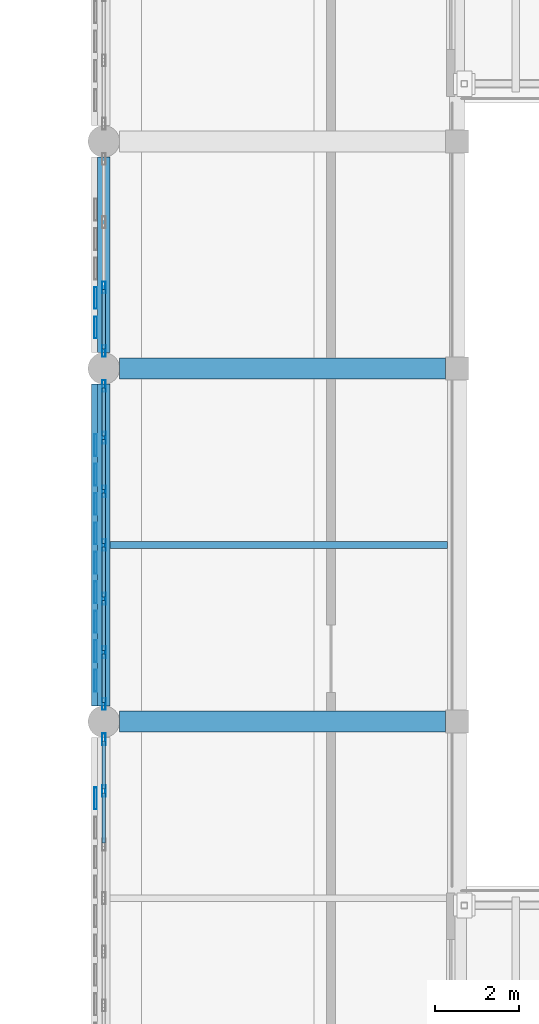
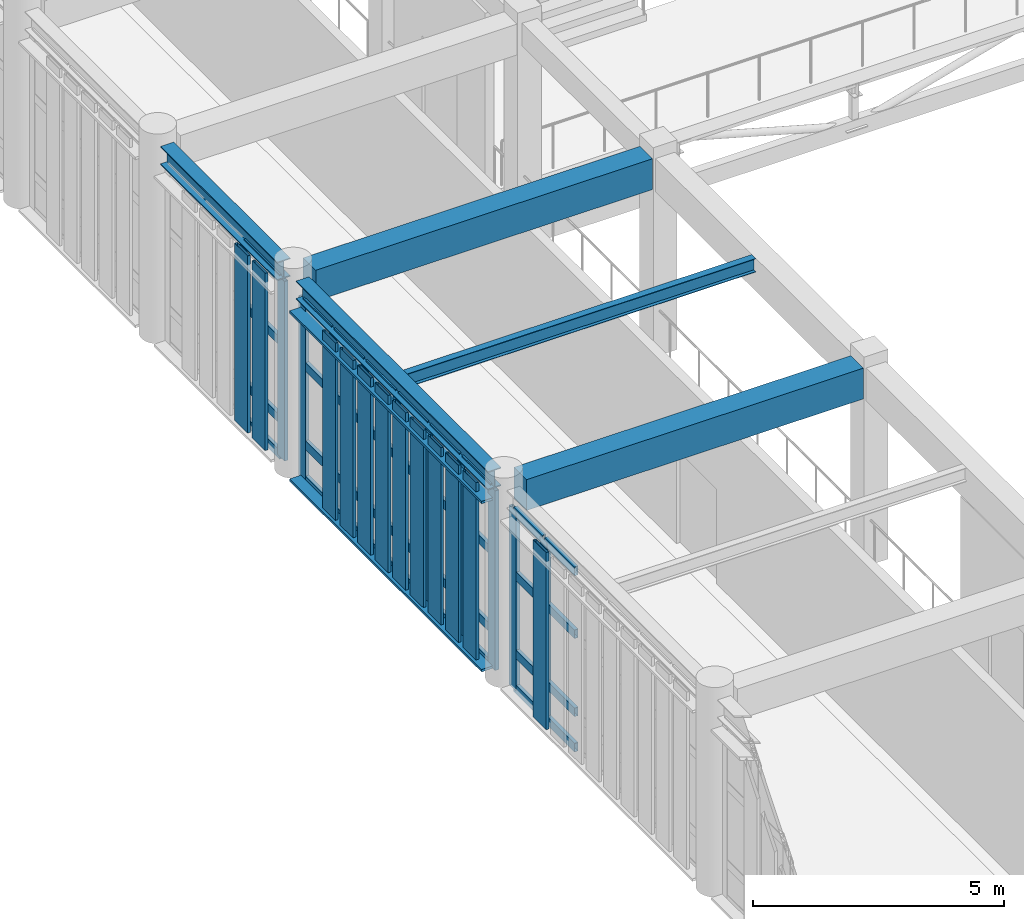
# One storey, part 30 of 106: 61 members, 5 beams, 3 elements without a shape of their own.
"""IFC4 building model written with IfcOpenShell, lengths in metres."""

from ifc_helpers import new_model, si_unit, direction, frame, origin, origin_2d, place, context, subcontext, project, spatial, rectangle, hollow_rectangle, i_section, extrude, material, layer, layer_set, material_profile, profile_set, type_object, element, aggregate, save


model = new_model("IFC4")

# Units and contexts
model_context = context("Model", 3, precision=1e-05, world=origin(), true_north=direction((0.0, 1.0)))
body_context = subcontext(model_context, "Body", "Model", "MODEL_VIEW")
ifc_project = project(units=[si_unit("LENGTHUNIT", "METRE"), si_unit("AREAUNIT", "SQUARE_METRE"), si_unit("VOLUMEUNIT", "CUBIC_METRE"), si_unit("PLANEANGLEUNIT", "RADIAN"), si_unit("MASSUNIT", "GRAM", prefix="KILO")], contexts=[model_context])

# Site, building, storey
site_placement = place(None, origin())
site = spatial("IfcSite", under=ifc_project, at=site_placement, CompositionType="ELEMENT")
building_placement = place(site_placement, origin())
building = spatial("IfcBuilding", under=site, at=building_placement, Name="Krzemoval Escarpment Law Courts", CompositionType="ELEMENT")
storey_placement = place(building_placement, frame((0.0, 0.0, 5.10009765625)))
storey = spatial("IfcBuildingStorey", under=building, at=storey_placement, Name="L01", CompositionType="ELEMENT", Elevation=5.10009765625)

# Beams
ifc_material_1 = material(Name="Concrete C40/50", Category="concrete")
ifc_material_profile_1 = material_profile(ifc_material_1, rectangle(XDim=0.5, YDim=0.75, at=origin_2d()), Name="RCB 500x750")
ifc_profile_set_1 = profile_set([ifc_material_profile_1], Name="Concrete C40/50")
beam_type_1 = type_object("IfcBeamType", Name="BM-RC-500x750", PredefinedType="BEAM", material=ifc_profile_set_1)
for number, where, z_axis, x_axis, name in (
    (1, (8.77490234375, 66.0, 4.44482421875), (1.0, 0.0, 0.0), (0.0, 1.0, 0.0), "Beam FG-L01-1263"),
    (2, (8.77490234375, 74.39990234375, 4.44482421875), (1.0, 0.0, 0.0), (0.0, 1.0, 0.0), "Beam FG-L01-1271"),
):
    element("IfcBeam", number, at=place(storey_placement, frame(where, z_axis=z_axis, x_axis=x_axis)), inside=storey, type_object=beam_type_1, Name=name, PredefinedType="BEAM", context=body_context, shape_type="SweptSolid", body=[
        extrude(rectangle(XDim=0.5, YDim=0.75, at=origin_2d()), origin(), (0.0, 0.0, 1.0), 7.75),
    ])

# Curtain wall, members
ifc_material_2 = material(Name="Aluminium 6063-T6", Category="aluminium")
ifc_layer = layer(ifc_material_2, 0.280029296875)
ifc_layer_set = layer_set([ifc_layer], Name="Aluminium 6063-T6")
curtain_wall_type = type_object("IfcCurtainWallType", Name="CW-HALL-5100", PredefinedType="USERDEFINED", material=ifc_layer_set)
curtain_wall_1_placement = place(storey_placement, origin())
curtain_wall_1 = element("IfcCurtainWall", 3, at=curtain_wall_1_placement, inside=storey, type_object=curtain_wall_type, Name="Unitised Curtain Wall FCW-L01-025", ObjectType="UNITISED_CURTAIN_WALL", PredefinedType="USERDEFINED")
ifc_material_3 = material(Name="Aluminium 6063-T6", Category="aluminium")
ifc_material_profile_2 = material_profile(ifc_material_3, hollow_rectangle(XDim=0.0849609375, YDim=0.280029296875, WallThickness=0.005615234375, at=origin_2d()), Name="ALU M85x280")
ifc_profile_set_2 = profile_set([ifc_material_profile_2], Name="Aluminium 6063-T6")
member_type_1 = type_object("IfcMemberType", Name="CWM-85x280", PredefinedType="MULLION", material=ifc_profile_set_2)
member_1_placement = place(storey_placement, frame((8.39990234375, 64.35009765625, 0.0), z_axis=(0.0, 0.0, 1.0), x_axis=(-1.0, 0.0, 0.0)))
member_1 = element("IfcMember", 4, at=member_1_placement, type_object=member_type_1, Name="FCW-L01-025 mullion 6", PredefinedType="MULLION", context=body_context, shape_type="SweptSolid", body=[
    extrude(hollow_rectangle(XDim=0.0849609375, YDim=0.280029296875, WallThickness=0.005615234375, at=origin_2d()), origin(), (0.0, 0.0, 1.0), 4.369873046875),
])
member_2_placement = place(storey_placement, frame((8.39990234375, 65.58251953125, 0.0), z_axis=(0.0, 0.0, 1.0), x_axis=(-1.0, 0.0, 0.0)))
member_2 = element("IfcMember", 5, at=member_2_placement, type_object=member_type_1, Name="FCW-L01-025 mullion 7", PredefinedType="MULLION", context=body_context, shape_type="SweptSolid", body=[
    extrude(hollow_rectangle(XDim=0.0849609375, YDim=0.280029296875, WallThickness=0.005615234375, at=origin_2d()), origin(), (0.0, 0.0, 1.0), 4.369873046875),
])

curtain_wall_2_placement = place(storey_placement, origin())
curtain_wall_2 = element("IfcCurtainWall", 6, at=curtain_wall_2_placement, inside=storey, type_object=curtain_wall_type, Name="Unitised Curtain Wall FCW-L01-026", ObjectType="UNITISED_CURTAIN_WALL", PredefinedType="USERDEFINED")
member_3_placement = place(storey_placement, frame((8.39990234375, 66.41748046875, 0.0), z_axis=(0.0, 0.0, 1.0), x_axis=(-1.0, 0.0, 0.0)))
member_3 = element("IfcMember", 7, at=member_3_placement, type_object=member_type_1, Name="FCW-L01-026 mullion 1", PredefinedType="MULLION", context=body_context, shape_type="SweptSolid", body=[
    extrude(hollow_rectangle(XDim=0.0849609375, YDim=0.280029296875, WallThickness=0.005615234375, at=origin_2d()), origin(), (0.0, 0.0, 1.0), 4.369873046875),
])
member_4_placement = place(storey_placement, frame((8.39990234375, 67.64990234375, 0.0), z_axis=(0.0, 0.0, 1.0), x_axis=(-1.0, 0.0, 0.0)))
member_4 = element("IfcMember", 8, at=member_4_placement, type_object=member_type_1, Name="FCW-L01-026 mullion 2", PredefinedType="MULLION", context=body_context, shape_type="SweptSolid", body=[
    extrude(hollow_rectangle(XDim=0.0849609375, YDim=0.280029296875, WallThickness=0.005615234375, at=origin_2d()), origin(), (0.0, 0.0, 1.0), 4.369873046875),
])
member_5_placement = place(storey_placement, frame((8.39990234375, 68.925048828125, 0.0), z_axis=(0.0, 0.0, 1.0), x_axis=(-1.0, 0.0, 0.0)))
member_5 = element("IfcMember", 9, at=member_5_placement, type_object=member_type_1, Name="FCW-L01-026 mullion 3", PredefinedType="MULLION", context=body_context, shape_type="SweptSolid", body=[
    extrude(hollow_rectangle(XDim=0.0849609375, YDim=0.280029296875, WallThickness=0.005615234375, at=origin_2d()), origin(), (0.0, 0.0, 1.0), 4.369873046875),
])
member_6_placement = place(storey_placement, frame((8.39990234375, 70.199951171875, 0.0), z_axis=(0.0, 0.0, 1.0), x_axis=(-1.0, 0.0, 0.0)))
member_6 = element("IfcMember", 10, at=member_6_placement, type_object=member_type_1, Name="FCW-L01-026 mullion 4", PredefinedType="MULLION", context=body_context, shape_type="SweptSolid", body=[
    extrude(hollow_rectangle(XDim=0.0849609375, YDim=0.280029296875, WallThickness=0.005615234375, at=origin_2d()), origin(), (0.0, 0.0, 1.0), 4.369873046875),
])
member_7_placement = place(storey_placement, frame((8.39990234375, 71.47509765625, 0.0), z_axis=(0.0, 0.0, 1.0), x_axis=(-1.0, 0.0, 0.0)))
member_7 = element("IfcMember", 11, at=member_7_placement, type_object=member_type_1, Name="FCW-L01-026 mullion 5", PredefinedType="MULLION", context=body_context, shape_type="SweptSolid", body=[
    extrude(hollow_rectangle(XDim=0.0849609375, YDim=0.280029296875, WallThickness=0.005615234375, at=origin_2d()), origin(), (0.0, 0.0, 1.0), 4.369873046875),
])
member_8_placement = place(storey_placement, frame((8.39990234375, 72.75, 0.0), z_axis=(0.0, 0.0, 1.0), x_axis=(-1.0, 0.0, 0.0)))
member_8 = element("IfcMember", 12, at=member_8_placement, type_object=member_type_1, Name="FCW-L01-026 mullion 6", PredefinedType="MULLION", context=body_context, shape_type="SweptSolid", body=[
    extrude(hollow_rectangle(XDim=0.0849609375, YDim=0.280029296875, WallThickness=0.005615234375, at=origin_2d()), origin(), (0.0, 0.0, 1.0), 4.369873046875),
])
member_9_placement = place(storey_placement, frame((8.39990234375, 73.982421875, 0.0), z_axis=(0.0, 0.0, 1.0), x_axis=(-1.0, 0.0, 0.0)))
member_9 = element("IfcMember", 13, at=member_9_placement, type_object=member_type_1, Name="FCW-L01-026 mullion 7", PredefinedType="MULLION", context=body_context, shape_type="SweptSolid", body=[
    extrude(hollow_rectangle(XDim=0.0849609375, YDim=0.280029296875, WallThickness=0.005615234375, at=origin_2d()), origin(), (0.0, 0.0, 1.0), 4.369873046875),
])

curtain_wall_3_placement = place(storey_placement, origin())
curtain_wall_3 = element("IfcCurtainWall", 14, at=curtain_wall_3_placement, inside=storey, type_object=curtain_wall_type, Name="Unitised Curtain Wall FCW-L01-027", ObjectType="UNITISED_CURTAIN_WALL", PredefinedType="USERDEFINED")
member_10_placement = place(storey_placement, frame((8.39990234375, 74.8173828125, 0.0), z_axis=(0.0, 0.0, 1.0), x_axis=(-1.0, 0.0, 0.0)))
member_10 = element("IfcMember", 15, at=member_10_placement, type_object=member_type_1, Name="FCW-L01-027 mullion 1", PredefinedType="MULLION", context=body_context, shape_type="SweptSolid", body=[
    extrude(hollow_rectangle(XDim=0.0849609375, YDim=0.280029296875, WallThickness=0.005615234375, at=origin_2d()), origin(), (0.0, 0.0, 1.0), 4.369873046875),
])
member_11_placement = place(storey_placement, frame((8.39990234375, 76.324951171875, 0.0), z_axis=(0.0, 0.0, 1.0), x_axis=(-1.0, 0.0, 0.0)))
member_11 = element("IfcMember", 16, at=member_11_placement, type_object=member_type_1, Name="FCW-L01-027 mullion 2", PredefinedType="MULLION", context=body_context, shape_type="SweptSolid", body=[
    extrude(hollow_rectangle(XDim=0.0849609375, YDim=0.280029296875, WallThickness=0.005615234375, at=origin_2d()), origin(), (0.0, 0.0, 1.0), 4.369873046875),
])

# Member
ifc_material_4 = material(Name="Aluminium 6063-T6", Category="aluminium")
ifc_material_profile_3 = material_profile(ifc_material_4, hollow_rectangle(XDim=0.0849609375, YDim=0.2099609375, WallThickness=0.005615234375, at=origin_2d()), Name="ALU T85x210")
ifc_profile_set_3 = profile_set([ifc_material_profile_3], Name="Aluminium 6063-T6")
member_type_2 = type_object("IfcMemberType", Name="CWT-85x210", PredefinedType="USERDEFINED", material=ifc_profile_set_3)
member_12_placement = place(storey_placement, frame((8.39990234375, 63.117431640625, 0.04248046875), z_axis=(0.0, 1.0, 0.0), x_axis=(-1.0, 0.0, 0.0)))
member_12 = element("IfcMember", 17, at=member_12_placement, type_object=member_type_2, Name="FCW-L01-025 transom 5.1", ObjectType="TRANSOM", PredefinedType="USERDEFINED", context=body_context, shape_type="SweptSolid", body=[
    extrude(hollow_rectangle(XDim=0.0849609375, YDim=0.2099609375, WallThickness=0.005615234375, at=origin_2d()), origin(), (0.0, 0.0, 1.0), 1.190185546875),
])

member_13_placement = place(storey_placement, frame((8.39990234375, 63.117431640625, 0.89990234375), z_axis=(0.0, 1.0, 0.0), x_axis=(-1.0, 0.0, 0.0)))
member_13 = element("IfcMember", 18, at=member_13_placement, type_object=member_type_2, Name="FCW-L01-025 transom 5.2", ObjectType="TRANSOM", PredefinedType="USERDEFINED", context=body_context, shape_type="SweptSolid", body=[
    extrude(hollow_rectangle(XDim=0.0849609375, YDim=0.2099609375, WallThickness=0.005615234375, at=origin_2d()), origin(), (0.0, 0.0, 1.0), 1.190185546875),
])

member_14_placement = place(storey_placement, frame((8.39990234375, 63.117431640625, 2.7998046875), z_axis=(0.0, 1.0, 0.0), x_axis=(-1.0, 0.0, 0.0)))
member_14 = element("IfcMember", 19, at=member_14_placement, type_object=member_type_2, Name="FCW-L01-025 transom 5.3", ObjectType="TRANSOM", PredefinedType="USERDEFINED", context=body_context, shape_type="SweptSolid", body=[
    extrude(hollow_rectangle(XDim=0.0849609375, YDim=0.2099609375, WallThickness=0.005615234375, at=origin_2d()), origin(), (0.0, 0.0, 1.0), 1.190185546875),
])

member_15_placement = place(storey_placement, frame((8.39990234375, 63.117431640625, 4.327392578125), z_axis=(0.0, 1.0, 0.0), x_axis=(-1.0, 0.0, 0.0)))
member_15 = element("IfcMember", 20, at=member_15_placement, type_object=member_type_2, Name="FCW-L01-025 transom 5.4", ObjectType="TRANSOM", PredefinedType="USERDEFINED", context=body_context, shape_type="SweptSolid", body=[
    extrude(hollow_rectangle(XDim=0.0849609375, YDim=0.2099609375, WallThickness=0.005615234375, at=origin_2d()), origin(), (0.0, 0.0, 1.0), 1.190185546875),
])

member_16_placement = place(storey_placement, frame((8.39990234375, 64.392578125, 0.04248046875), z_axis=(0.0, 1.0, 0.0), x_axis=(-1.0, 0.0, 0.0)))
member_16 = element("IfcMember", 21, at=member_16_placement, type_object=member_type_2, Name="FCW-L01-025 transom 6.1", ObjectType="TRANSOM", PredefinedType="USERDEFINED", context=body_context, shape_type="SweptSolid", body=[
    extrude(hollow_rectangle(XDim=0.0849609375, YDim=0.2099609375, WallThickness=0.005615234375, at=origin_2d()), origin(), (0.0, 0.0, 1.0), 1.1474609375),
])

member_17_placement = place(storey_placement, frame((8.39990234375, 64.392578125, 0.89990234375), z_axis=(0.0, 1.0, 0.0), x_axis=(-1.0, 0.0, 0.0)))
member_17 = element("IfcMember", 22, at=member_17_placement, type_object=member_type_2, Name="FCW-L01-025 transom 6.2", ObjectType="TRANSOM", PredefinedType="USERDEFINED", context=body_context, shape_type="SweptSolid", body=[
    extrude(hollow_rectangle(XDim=0.0849609375, YDim=0.2099609375, WallThickness=0.005615234375, at=origin_2d()), origin(), (0.0, 0.0, 1.0), 1.1474609375),
])

member_18_placement = place(storey_placement, frame((8.39990234375, 64.392578125, 2.7998046875), z_axis=(0.0, 1.0, 0.0), x_axis=(-1.0, 0.0, 0.0)))
member_18 = element("IfcMember", 23, at=member_18_placement, type_object=member_type_2, Name="FCW-L01-025 transom 6.3", ObjectType="TRANSOM", PredefinedType="USERDEFINED", context=body_context, shape_type="SweptSolid", body=[
    extrude(hollow_rectangle(XDim=0.0849609375, YDim=0.2099609375, WallThickness=0.005615234375, at=origin_2d()), origin(), (0.0, 0.0, 1.0), 1.1474609375),
])

member_19_placement = place(storey_placement, frame((8.39990234375, 64.392578125, 4.327392578125), z_axis=(0.0, 1.0, 0.0), x_axis=(-1.0, 0.0, 0.0)))
member_19 = element("IfcMember", 24, at=member_19_placement, type_object=member_type_2, Name="FCW-L01-025 transom 6.4", ObjectType="TRANSOM", PredefinedType="USERDEFINED", context=body_context, shape_type="SweptSolid", body=[
    extrude(hollow_rectangle(XDim=0.0849609375, YDim=0.2099609375, WallThickness=0.005615234375, at=origin_2d()), origin(), (0.0, 0.0, 1.0), 1.1474609375),
])

aggregate(curtain_wall_1, [member_1, member_2, member_12, member_13, member_14, member_15, member_16, member_17, member_18, member_19])

member_20_placement = place(storey_placement, frame((8.39990234375, 66.4599609375, 0.04248046875), z_axis=(0.0, 1.0, 0.0), x_axis=(-1.0, 0.0, 0.0)))
member_20 = element("IfcMember", 25, at=member_20_placement, type_object=member_type_2, Name="FCW-L01-026 transom 1.1", ObjectType="TRANSOM", PredefinedType="USERDEFINED", context=body_context, shape_type="SweptSolid", body=[
    extrude(hollow_rectangle(XDim=0.0849609375, YDim=0.2099609375, WallThickness=0.005615234375, at=origin_2d()), origin(), (0.0, 0.0, 1.0), 1.1474609375),
])

member_21_placement = place(storey_placement, frame((8.39990234375, 66.4599609375, 0.89990234375), z_axis=(0.0, 1.0, 0.0), x_axis=(-1.0, 0.0, 0.0)))
member_21 = element("IfcMember", 26, at=member_21_placement, type_object=member_type_2, Name="FCW-L01-026 transom 1.2", ObjectType="TRANSOM", PredefinedType="USERDEFINED", context=body_context, shape_type="SweptSolid", body=[
    extrude(hollow_rectangle(XDim=0.0849609375, YDim=0.2099609375, WallThickness=0.005615234375, at=origin_2d()), origin(), (0.0, 0.0, 1.0), 1.1474609375),
])

member_22_placement = place(storey_placement, frame((8.39990234375, 66.4599609375, 2.7998046875), z_axis=(0.0, 1.0, 0.0), x_axis=(-1.0, 0.0, 0.0)))
member_22 = element("IfcMember", 27, at=member_22_placement, type_object=member_type_2, Name="FCW-L01-026 transom 1.3", ObjectType="TRANSOM", PredefinedType="USERDEFINED", context=body_context, shape_type="SweptSolid", body=[
    extrude(hollow_rectangle(XDim=0.0849609375, YDim=0.2099609375, WallThickness=0.005615234375, at=origin_2d()), origin(), (0.0, 0.0, 1.0), 1.1474609375),
])

member_23_placement = place(storey_placement, frame((8.39990234375, 66.4599609375, 4.327392578125), z_axis=(0.0, 1.0, 0.0), x_axis=(-1.0, 0.0, 0.0)))
member_23 = element("IfcMember", 28, at=member_23_placement, type_object=member_type_2, Name="FCW-L01-026 transom 1.4", ObjectType="TRANSOM", PredefinedType="USERDEFINED", context=body_context, shape_type="SweptSolid", body=[
    extrude(hollow_rectangle(XDim=0.0849609375, YDim=0.2099609375, WallThickness=0.005615234375, at=origin_2d()), origin(), (0.0, 0.0, 1.0), 1.1474609375),
])

member_24_placement = place(storey_placement, frame((8.39990234375, 67.6923828125, 0.04248046875), z_axis=(0.0, 1.0, 0.0), x_axis=(-1.0, 0.0, 0.0)))
member_24 = element("IfcMember", 29, at=member_24_placement, type_object=member_type_2, Name="FCW-L01-026 transom 2.1", ObjectType="TRANSOM", PredefinedType="USERDEFINED", context=body_context, shape_type="SweptSolid", body=[
    extrude(hollow_rectangle(XDim=0.0849609375, YDim=0.2099609375, WallThickness=0.005615234375, at=origin_2d()), origin(), (0.0, 0.0, 1.0), 1.190185546875),
])

member_25_placement = place(storey_placement, frame((8.39990234375, 67.6923828125, 0.89990234375), z_axis=(0.0, 1.0, 0.0), x_axis=(-1.0, 0.0, 0.0)))
member_25 = element("IfcMember", 30, at=member_25_placement, type_object=member_type_2, Name="FCW-L01-026 transom 2.2", ObjectType="TRANSOM", PredefinedType="USERDEFINED", context=body_context, shape_type="SweptSolid", body=[
    extrude(hollow_rectangle(XDim=0.0849609375, YDim=0.2099609375, WallThickness=0.005615234375, at=origin_2d()), origin(), (0.0, 0.0, 1.0), 1.190185546875),
])

member_26_placement = place(storey_placement, frame((8.39990234375, 67.6923828125, 2.7998046875), z_axis=(0.0, 1.0, 0.0), x_axis=(-1.0, 0.0, 0.0)))
member_26 = element("IfcMember", 31, at=member_26_placement, type_object=member_type_2, Name="FCW-L01-026 transom 2.3", ObjectType="TRANSOM", PredefinedType="USERDEFINED", context=body_context, shape_type="SweptSolid", body=[
    extrude(hollow_rectangle(XDim=0.0849609375, YDim=0.2099609375, WallThickness=0.005615234375, at=origin_2d()), origin(), (0.0, 0.0, 1.0), 1.190185546875),
])

member_27_placement = place(storey_placement, frame((8.39990234375, 67.6923828125, 4.327392578125), z_axis=(0.0, 1.0, 0.0), x_axis=(-1.0, 0.0, 0.0)))
member_27 = element("IfcMember", 32, at=member_27_placement, type_object=member_type_2, Name="FCW-L01-026 transom 2.4", ObjectType="TRANSOM", PredefinedType="USERDEFINED", context=body_context, shape_type="SweptSolid", body=[
    extrude(hollow_rectangle(XDim=0.0849609375, YDim=0.2099609375, WallThickness=0.005615234375, at=origin_2d()), origin(), (0.0, 0.0, 1.0), 1.190185546875),
])

member_28_placement = place(storey_placement, frame((8.39990234375, 68.967529296875, 0.04248046875), z_axis=(0.0, 1.0, 0.0), x_axis=(-1.0, 0.0, 0.0)))
member_28 = element("IfcMember", 33, at=member_28_placement, type_object=member_type_2, Name="FCW-L01-026 transom 3.1", ObjectType="TRANSOM", PredefinedType="USERDEFINED", context=body_context, shape_type="SweptSolid", body=[
    extrude(hollow_rectangle(XDim=0.0849609375, YDim=0.2099609375, WallThickness=0.005615234375, at=origin_2d()), origin(), (0.0, 0.0, 1.0), 1.18994140625),
])

member_29_placement = place(storey_placement, frame((8.39990234375, 68.967529296875, 0.89990234375), z_axis=(0.0, 1.0, 0.0), x_axis=(-1.0, 0.0, 0.0)))
member_29 = element("IfcMember", 34, at=member_29_placement, type_object=member_type_2, Name="FCW-L01-026 transom 3.2", ObjectType="TRANSOM", PredefinedType="USERDEFINED", context=body_context, shape_type="SweptSolid", body=[
    extrude(hollow_rectangle(XDim=0.0849609375, YDim=0.2099609375, WallThickness=0.005615234375, at=origin_2d()), origin(), (0.0, 0.0, 1.0), 1.18994140625),
])

member_30_placement = place(storey_placement, frame((8.39990234375, 68.967529296875, 2.7998046875), z_axis=(0.0, 1.0, 0.0), x_axis=(-1.0, 0.0, 0.0)))
member_30 = element("IfcMember", 35, at=member_30_placement, type_object=member_type_2, Name="FCW-L01-026 transom 3.3", ObjectType="TRANSOM", PredefinedType="USERDEFINED", context=body_context, shape_type="SweptSolid", body=[
    extrude(hollow_rectangle(XDim=0.0849609375, YDim=0.2099609375, WallThickness=0.005615234375, at=origin_2d()), origin(), (0.0, 0.0, 1.0), 1.18994140625),
])

member_31_placement = place(storey_placement, frame((8.39990234375, 68.967529296875, 4.327392578125), z_axis=(0.0, 1.0, 0.0), x_axis=(-1.0, 0.0, 0.0)))
member_31 = element("IfcMember", 36, at=member_31_placement, type_object=member_type_2, Name="FCW-L01-026 transom 3.4", ObjectType="TRANSOM", PredefinedType="USERDEFINED", context=body_context, shape_type="SweptSolid", body=[
    extrude(hollow_rectangle(XDim=0.0849609375, YDim=0.2099609375, WallThickness=0.005615234375, at=origin_2d()), origin(), (0.0, 0.0, 1.0), 1.18994140625),
])

member_32_placement = place(storey_placement, frame((8.39990234375, 70.242431640625, 0.04248046875), z_axis=(0.0, 1.0, 0.0), x_axis=(-1.0, 0.0, 0.0)))
member_32 = element("IfcMember", 37, at=member_32_placement, type_object=member_type_2, Name="FCW-L01-026 transom 4.1", ObjectType="TRANSOM", PredefinedType="USERDEFINED", context=body_context, shape_type="SweptSolid", body=[
    extrude(hollow_rectangle(XDim=0.0849609375, YDim=0.2099609375, WallThickness=0.005615234375, at=origin_2d()), origin(), (0.0, 0.0, 1.0), 1.190185546875),
])

member_33_placement = place(storey_placement, frame((8.39990234375, 70.242431640625, 0.89990234375), z_axis=(0.0, 1.0, 0.0), x_axis=(-1.0, 0.0, 0.0)))
member_33 = element("IfcMember", 38, at=member_33_placement, type_object=member_type_2, Name="FCW-L01-026 transom 4.2", ObjectType="TRANSOM", PredefinedType="USERDEFINED", context=body_context, shape_type="SweptSolid", body=[
    extrude(hollow_rectangle(XDim=0.0849609375, YDim=0.2099609375, WallThickness=0.005615234375, at=origin_2d()), origin(), (0.0, 0.0, 1.0), 1.190185546875),
])

member_34_placement = place(storey_placement, frame((8.39990234375, 70.242431640625, 2.7998046875), z_axis=(0.0, 1.0, 0.0), x_axis=(-1.0, 0.0, 0.0)))
member_34 = element("IfcMember", 39, at=member_34_placement, type_object=member_type_2, Name="FCW-L01-026 transom 4.3", ObjectType="TRANSOM", PredefinedType="USERDEFINED", context=body_context, shape_type="SweptSolid", body=[
    extrude(hollow_rectangle(XDim=0.0849609375, YDim=0.2099609375, WallThickness=0.005615234375, at=origin_2d()), origin(), (0.0, 0.0, 1.0), 1.190185546875),
])

member_35_placement = place(storey_placement, frame((8.39990234375, 70.242431640625, 4.327392578125), z_axis=(0.0, 1.0, 0.0), x_axis=(-1.0, 0.0, 0.0)))
member_35 = element("IfcMember", 40, at=member_35_placement, type_object=member_type_2, Name="FCW-L01-026 transom 4.4", ObjectType="TRANSOM", PredefinedType="USERDEFINED", context=body_context, shape_type="SweptSolid", body=[
    extrude(hollow_rectangle(XDim=0.0849609375, YDim=0.2099609375, WallThickness=0.005615234375, at=origin_2d()), origin(), (0.0, 0.0, 1.0), 1.190185546875),
])

member_36_placement = place(storey_placement, frame((8.39990234375, 71.517578125, 0.04248046875), z_axis=(0.0, 1.0, 0.0), x_axis=(-1.0, 0.0, 0.0)))
member_36 = element("IfcMember", 41, at=member_36_placement, type_object=member_type_2, Name="FCW-L01-026 transom 5.1", ObjectType="TRANSOM", PredefinedType="USERDEFINED", context=body_context, shape_type="SweptSolid", body=[
    extrude(hollow_rectangle(XDim=0.0849609375, YDim=0.2099609375, WallThickness=0.005615234375, at=origin_2d()), origin(), (0.0, 0.0, 1.0), 1.18994140625),
])

member_37_placement = place(storey_placement, frame((8.39990234375, 71.517578125, 0.89990234375), z_axis=(0.0, 1.0, 0.0), x_axis=(-1.0, 0.0, 0.0)))
member_37 = element("IfcMember", 42, at=member_37_placement, type_object=member_type_2, Name="FCW-L01-026 transom 5.2", ObjectType="TRANSOM", PredefinedType="USERDEFINED", context=body_context, shape_type="SweptSolid", body=[
    extrude(hollow_rectangle(XDim=0.0849609375, YDim=0.2099609375, WallThickness=0.005615234375, at=origin_2d()), origin(), (0.0, 0.0, 1.0), 1.18994140625),
])

member_38_placement = place(storey_placement, frame((8.39990234375, 71.517578125, 2.7998046875), z_axis=(0.0, 1.0, 0.0), x_axis=(-1.0, 0.0, 0.0)))
member_38 = element("IfcMember", 43, at=member_38_placement, type_object=member_type_2, Name="FCW-L01-026 transom 5.3", ObjectType="TRANSOM", PredefinedType="USERDEFINED", context=body_context, shape_type="SweptSolid", body=[
    extrude(hollow_rectangle(XDim=0.0849609375, YDim=0.2099609375, WallThickness=0.005615234375, at=origin_2d()), origin(), (0.0, 0.0, 1.0), 1.18994140625),
])

member_39_placement = place(storey_placement, frame((8.39990234375, 71.517578125, 4.327392578125), z_axis=(0.0, 1.0, 0.0), x_axis=(-1.0, 0.0, 0.0)))
member_39 = element("IfcMember", 44, at=member_39_placement, type_object=member_type_2, Name="FCW-L01-026 transom 5.4", ObjectType="TRANSOM", PredefinedType="USERDEFINED", context=body_context, shape_type="SweptSolid", body=[
    extrude(hollow_rectangle(XDim=0.0849609375, YDim=0.2099609375, WallThickness=0.005615234375, at=origin_2d()), origin(), (0.0, 0.0, 1.0), 1.18994140625),
])

member_40_placement = place(storey_placement, frame((8.39990234375, 72.79248046875, 0.04248046875), z_axis=(0.0, 1.0, 0.0), x_axis=(-1.0, 0.0, 0.0)))
member_40 = element("IfcMember", 45, at=member_40_placement, type_object=member_type_2, Name="FCW-L01-026 transom 6.1", ObjectType="TRANSOM", PredefinedType="USERDEFINED", context=body_context, shape_type="SweptSolid", body=[
    extrude(hollow_rectangle(XDim=0.0849609375, YDim=0.2099609375, WallThickness=0.005615234375, at=origin_2d()), origin(), (0.0, 0.0, 1.0), 1.1474609375),
])

member_41_placement = place(storey_placement, frame((8.39990234375, 72.79248046875, 0.89990234375), z_axis=(0.0, 1.0, 0.0), x_axis=(-1.0, 0.0, 0.0)))
member_41 = element("IfcMember", 46, at=member_41_placement, type_object=member_type_2, Name="FCW-L01-026 transom 6.2", ObjectType="TRANSOM", PredefinedType="USERDEFINED", context=body_context, shape_type="SweptSolid", body=[
    extrude(hollow_rectangle(XDim=0.0849609375, YDim=0.2099609375, WallThickness=0.005615234375, at=origin_2d()), origin(), (0.0, 0.0, 1.0), 1.1474609375),
])

member_42_placement = place(storey_placement, frame((8.39990234375, 72.79248046875, 2.7998046875), z_axis=(0.0, 1.0, 0.0), x_axis=(-1.0, 0.0, 0.0)))
member_42 = element("IfcMember", 47, at=member_42_placement, type_object=member_type_2, Name="FCW-L01-026 transom 6.3", ObjectType="TRANSOM", PredefinedType="USERDEFINED", context=body_context, shape_type="SweptSolid", body=[
    extrude(hollow_rectangle(XDim=0.0849609375, YDim=0.2099609375, WallThickness=0.005615234375, at=origin_2d()), origin(), (0.0, 0.0, 1.0), 1.1474609375),
])

member_43_placement = place(storey_placement, frame((8.39990234375, 72.79248046875, 4.327392578125), z_axis=(0.0, 1.0, 0.0), x_axis=(-1.0, 0.0, 0.0)))
member_43 = element("IfcMember", 48, at=member_43_placement, type_object=member_type_2, Name="FCW-L01-026 transom 6.4", ObjectType="TRANSOM", PredefinedType="USERDEFINED", context=body_context, shape_type="SweptSolid", body=[
    extrude(hollow_rectangle(XDim=0.0849609375, YDim=0.2099609375, WallThickness=0.005615234375, at=origin_2d()), origin(), (0.0, 0.0, 1.0), 1.1474609375),
])

aggregate(curtain_wall_2, [member_3, member_4, member_5, member_6, member_7, member_8, member_9, member_20, member_21, member_22, member_23, member_24, member_25, member_26, member_27, member_28, member_29, member_30, member_31, member_32, member_33, member_34, member_35, member_36, member_37, member_38, member_39, member_40, member_41, member_42, member_43])

member_44_placement = place(storey_placement, frame((8.39990234375, 74.860107421875, 0.04248046875), z_axis=(0.0, 1.0, 0.0), x_axis=(-1.0, 0.0, 0.0)))
member_44 = element("IfcMember", 49, at=member_44_placement, type_object=member_type_2, Name="FCW-L01-027 transom 1.1", ObjectType="TRANSOM", PredefinedType="USERDEFINED", context=body_context, shape_type="SweptSolid", body=[
    extrude(hollow_rectangle(XDim=0.0849609375, YDim=0.2099609375, WallThickness=0.005615234375, at=origin_2d()), origin(), (0.0, 0.0, 1.0), 1.42236328125),
])

member_45_placement = place(storey_placement, frame((8.39990234375, 74.860107421875, 0.89990234375), z_axis=(0.0, 1.0, 0.0), x_axis=(-1.0, 0.0, 0.0)))
member_45 = element("IfcMember", 50, at=member_45_placement, type_object=member_type_2, Name="FCW-L01-027 transom 1.2", ObjectType="TRANSOM", PredefinedType="USERDEFINED", context=body_context, shape_type="SweptSolid", body=[
    extrude(hollow_rectangle(XDim=0.0849609375, YDim=0.2099609375, WallThickness=0.005615234375, at=origin_2d()), origin(), (0.0, 0.0, 1.0), 1.42236328125),
])

member_46_placement = place(storey_placement, frame((8.39990234375, 74.860107421875, 2.7998046875), z_axis=(0.0, 1.0, 0.0), x_axis=(-1.0, 0.0, 0.0)))
member_46 = element("IfcMember", 51, at=member_46_placement, type_object=member_type_2, Name="FCW-L01-027 transom 1.3", ObjectType="TRANSOM", PredefinedType="USERDEFINED", context=body_context, shape_type="SweptSolid", body=[
    extrude(hollow_rectangle(XDim=0.0849609375, YDim=0.2099609375, WallThickness=0.005615234375, at=origin_2d()), origin(), (0.0, 0.0, 1.0), 1.42236328125),
])

member_47_placement = place(storey_placement, frame((8.39990234375, 74.860107421875, 4.327392578125), z_axis=(0.0, 1.0, 0.0), x_axis=(-1.0, 0.0, 0.0)))
member_47 = element("IfcMember", 52, at=member_47_placement, type_object=member_type_2, Name="FCW-L01-027 transom 1.4", ObjectType="TRANSOM", PredefinedType="USERDEFINED", context=body_context, shape_type="SweptSolid", body=[
    extrude(hollow_rectangle(XDim=0.0849609375, YDim=0.2099609375, WallThickness=0.005615234375, at=origin_2d()), origin(), (0.0, 0.0, 1.0), 1.42236328125),
])

aggregate(curtain_wall_3, [member_10, member_11, member_44, member_45, member_46, member_47])

# Beam
ifc_material_5 = material(Name="Steel S355", Category="steel")
ifc_material_profile_4 = material_profile(ifc_material_5, i_section(OverallWidth=0.159912109375, OverallDepth=0.330078125, WebThickness=0.007568359375, FlangeThickness=0.011474609375, at=origin_2d()), Name="IPE 330")
ifc_profile_set_4 = profile_set([ifc_material_profile_4], Name="Steel S355")
beam_type_2 = type_object("IfcBeamType", Name="JST-S355-IPE330", PredefinedType="JOIST", material=ifc_profile_set_4)
beam_1_placement = place(storey_placement, frame((8.550048828125, 70.199951171875, 4.65478515625), z_axis=(1.0, 0.0, 0.0), x_axis=(0.0, 1.0, 0.0)))
element("IfcBeam", 53, at=beam_1_placement, inside=storey, type_object=beam_type_2, Name="Secondary Joist FJ-L01-1608", PredefinedType="JOIST", context=body_context, shape_type="SweptSolid", body=[
    extrude(i_section(OverallWidth=0.159912109375, OverallDepth=0.330078125, WebThickness=0.007568359375, FlangeThickness=0.011474609375, at=origin_2d()), origin(), (0.0, 0.0, 1.0), 8.02490234375),
])

# Members
ifc_material_6 = material(Name="Anodised Aluminium Alloy 6063-T6", Category="aluminium")
ifc_material_profile_5 = material_profile(ifc_material_6, hollow_rectangle(XDim=0.06005859375, YDim=0.320068359375, WallThickness=0.00390625, at=origin_2d()), Name="ALU LVR 60x320")
ifc_profile_set_5 = profile_set([ifc_material_profile_5], Name="Anodised Aluminium Alloy 6063-T6")
member_type_3 = type_object("IfcMemberType", Name="LVR-ALU-320", PredefinedType="USERDEFINED", material=ifc_profile_set_5)
for number, where, z_axis, x_axis, name in (
    (54, (8.260009765625, 66.375, 0.02978515625), (0.0, 1.0, 0.0), (0.0, 0.0, 1.0), "Sunshade Support Rail FSR-L01-0041"),
    (55, (8.260009765625, 66.375, 4.119873046875), (0.0, 1.0, 0.0), (0.0, 0.0, 1.0), "Sunshade Support Rail FSR-L01-0042"),
):
    element("IfcMember", number, at=place(storey_placement, frame(where, z_axis=z_axis, x_axis=x_axis)), inside=storey, type_object=member_type_3, Name=name, ObjectType="SUNSHADE_LOUVRE", PredefinedType="USERDEFINED", context=body_context, shape_type="SweptSolid", body=[
        extrude(hollow_rectangle(XDim=0.06005859375, YDim=0.320068359375, WallThickness=0.00390625, at=origin_2d()), origin(), (0.0, 0.0, 1.0), 7.64990234375),
    ])
ifc_material_7 = material(Name="Anodised Aluminium Alloy 6063-T6", Category="aluminium")
ifc_material_profile_6 = material_profile(ifc_material_7, hollow_rectangle(XDim=0.06494140625, YDim=0.52001953125, WallThickness=0.00439453125, at=origin_2d()), Name="ALU LVR 65x520")
ifc_profile_set_6 = profile_set([ifc_material_profile_6], Name="Anodised Aluminium Alloy 6063-T6")
member_type_4 = type_object("IfcMemberType", Name="LVR-ALU-520", PredefinedType="USERDEFINED", material=ifc_profile_set_6)
for number, where, z_axis, x_axis, name in (
    (56, (8.199951171875, 64.175048828125, 0.059814453125), (0.0, 0.0, 1.0), (1.0, 0.0, 0.0), "Sunshade Louvre Fin FLV-L01-0040"),
    (57, (8.199951171875, 66.97509765625, 0.059814453125), (0.0, 0.0, 1.0), (1.0, 0.0, 0.0), "Sunshade Louvre Fin FLV-L01-0043"),
    (58, (8.199951171875, 67.675048828125, 0.059814453125), (0.0, 0.0, 1.0), (1.0, 0.0, 0.0), "Sunshade Louvre Fin FLV-L01-0044"),
    (59, (8.199951171875, 68.375, 0.059814453125), (0.0, 0.0, 1.0), (1.0, 0.0, 0.0), "Sunshade Louvre Fin FLV-L01-0045"),
    (60, (8.199951171875, 69.074951171875, 0.059814453125), (0.0, 0.0, 1.0), (1.0, 0.0, 0.0), "Sunshade Louvre Fin FLV-L01-0046"),
    (61, (8.199951171875, 69.77490234375, 0.059814453125), (0.0, 0.0, 1.0), (1.0, 0.0, 0.0), "Sunshade Louvre Fin FLV-L01-0047"),
    (62, (8.199951171875, 70.47509765625, 0.059814453125), (0.0, 0.0, 1.0), (1.0, 0.0, 0.0), "Sunshade Louvre Fin FLV-L01-0048"),
    (63, (8.199951171875, 71.175048828125, 0.059814453125), (0.0, 0.0, 1.0), (1.0, 0.0, 0.0), "Sunshade Louvre Fin FLV-L01-0049"),
    (64, (8.199951171875, 71.875, 0.059814453125), (0.0, 0.0, 1.0), (1.0, 0.0, 0.0), "Sunshade Louvre Fin FLV-L01-0050"),
    (65, (8.199951171875, 72.574951171875, 0.059814453125), (0.0, 0.0, 1.0), (1.0, 0.0, 0.0), "Sunshade Louvre Fin FLV-L01-0051"),
    (66, (8.199951171875, 75.375, 0.059814453125), (0.0, 0.0, 1.0), (1.0, 0.0, 0.0), "Sunshade Louvre Fin FLV-L01-0054"),
    (67, (8.199951171875, 76.074951171875, 0.059814453125), (0.0, 0.0, 1.0), (1.0, 0.0, 0.0), "Sunshade Louvre Fin FLV-L01-0055"),
):
    element("IfcMember", number, at=place(storey_placement, frame(where, z_axis=z_axis, x_axis=x_axis)), inside=storey, type_object=member_type_4, Name=name, ObjectType="SUNSHADE_LOUVRE", PredefinedType="USERDEFINED", context=body_context, shape_type="SweptSolid", body=[
        extrude(hollow_rectangle(XDim=0.06494140625, YDim=0.52001953125, WallThickness=0.00439453125, at=origin_2d()), origin(), (0.0, 0.0, 1.0), 4.31005859375),
    ])

# Beams
ifc_material_8 = material(Name="Steel S355", Category="steel")
ifc_material_profile_7 = material_profile(ifc_material_8, i_section(OverallWidth=0.300048828125, OverallDepth=0.449951171875, WebThickness=0.013916015625, FlangeThickness=0.02587890625, at=origin_2d()), Name="HEB 450")
ifc_profile_set_7 = profile_set([ifc_material_profile_7], Name="Steel S355")
beam_type_3 = type_object("IfcBeamType", Name="SPN-S355-HEB450", PredefinedType="SPANDREL", material=ifc_profile_set_7)
beam_2_placement = place(storey_placement, frame((8.39990234375, 66.375, 4.594970703125), z_axis=(0.0, 1.0, 0.0), x_axis=(-1.0, 0.0, 0.0)))
element("IfcBeam", 68, at=beam_2_placement, inside=storey, type_object=beam_type_3, Name="Beam FG-L01-1386", PredefinedType="SPANDREL", context=body_context, shape_type="SweptSolid", body=[
    extrude(i_section(OverallWidth=0.300048828125, OverallDepth=0.449951171875, WebThickness=0.013916015625, FlangeThickness=0.02587890625, at=origin_2d()), origin(), (0.0, 0.0, 1.0), 7.64990234375),
])
beam_3_placement = place(storey_placement, frame((8.39990234375, 74.77490234375, 4.594970703125), z_axis=(0.0, 1.0, 0.0), x_axis=(-1.0, 0.0, 0.0)))
element("IfcBeam", 69, at=beam_3_placement, inside=storey, type_object=beam_type_3, Name="Beam FG-L01-1387", PredefinedType="SPANDREL", context=body_context, shape_type="SweptSolid", body=[
    extrude(i_section(OverallWidth=0.300048828125, OverallDepth=0.449951171875, WebThickness=0.013916015625, FlangeThickness=0.02587890625, at=origin_2d()), origin(), (0.0, 0.0, 1.0), 4.650146484375),
])

save(model, "model.ifc")
